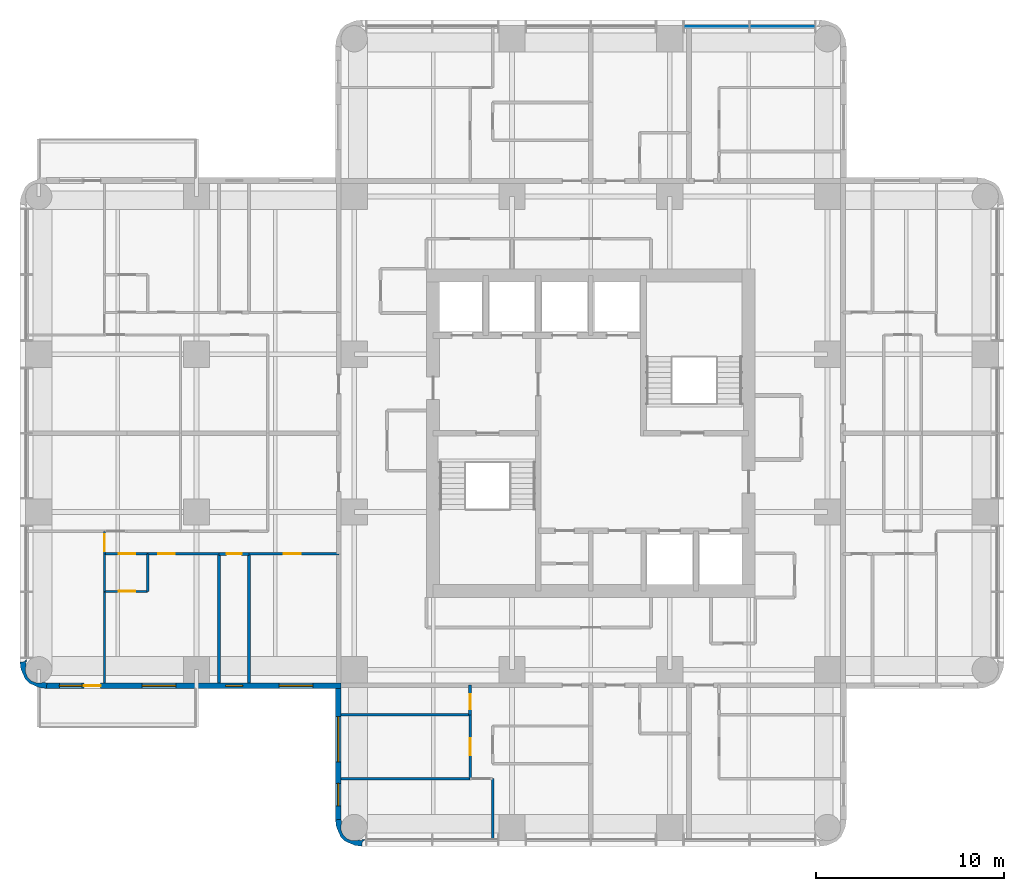
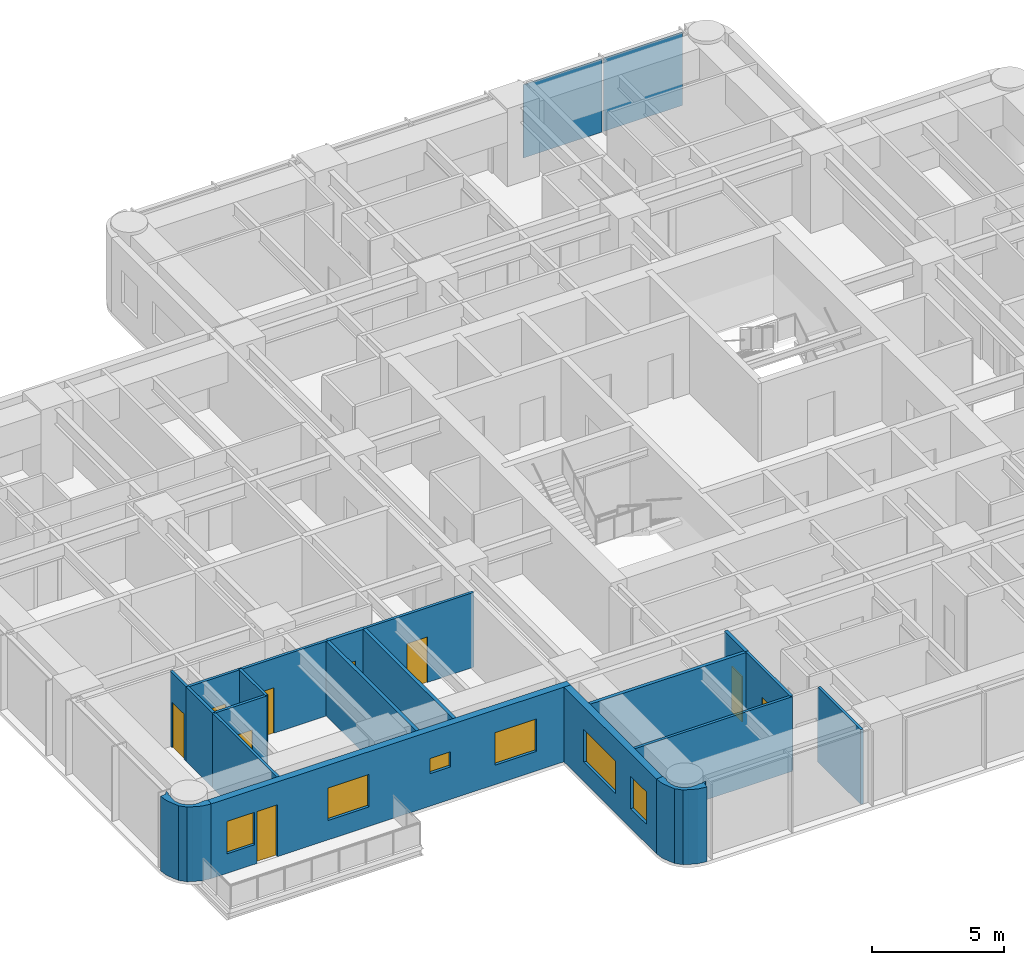
# One storey, part 4 of 11: 20 walls, 9 doors, 6 windows, 2 plates, 15 openings, 1 element without a shape of its own.
"""IFC4 building model written with IfcOpenShell, lengths in metres."""

from ifc_helpers import new_model, si_unit, direction, frame, frame_2d, origin, origin_2d, place, context, subcontext, project, spatial, polyline, rectangle, outline, extrude, material, layer, layer_set, type_object, element, fill, aggregate, save


model = new_model("IFC4")

# Units and contexts
model_context = context("Model", 3, precision=1e-05, world=origin(), true_north=direction((0.0, 1.0)))
body_context = subcontext(model_context, "Body", "Model", "MODEL_VIEW")
ifc_project = project(units=[si_unit("LENGTHUNIT", "METRE"), si_unit("AREAUNIT", "SQUARE_METRE"), si_unit("VOLUMEUNIT", "CUBIC_METRE"), si_unit("PLANEANGLEUNIT", "RADIAN"), si_unit("MASSUNIT", "GRAM", prefix="KILO")], contexts=[model_context])

# Site, building, storey
site_placement = place(None, origin())
site = spatial("IfcSite", under=ifc_project, at=site_placement, CompositionType="ELEMENT")
building_placement = place(site_placement, origin())
building = spatial("IfcBuilding", under=site, at=building_placement, Name="Torre Alcanfor", CompositionType="ELEMENT")
storey_placement = place(building_placement, frame((0.0, 0.0, 204.89990234375)))
storey = spatial("IfcBuildingStorey", under=building, at=storey_placement, Name="L53", CompositionType="ELEMENT", Elevation=204.89990234375)

# Curtain wall, plates
ifc_material_1 = material(Name="Aluminium and glass", Category="aluminium")
curtain_wall_type = type_object("IfcCurtainWallType", Name="CW-A unitised apartment glazing with vertical FIN", PredefinedType="NOTDEFINED", material=ifc_material_1)
curtain_wall_placement = place(storey_placement, origin())
curtain_wall = element("IfcCurtainWall", 1, at=curtain_wall_placement, inside=storey, type_object=curtain_wall_type, Name="Curtain wall CW-A L53 11", PredefinedType="NOTDEFINED")
ifc_material_2 = material(Name="Glass", Category="glass")
ifc_layer_1 = layer(ifc_material_2, 0.028076171875)
ifc_layer_set_1 = layer_set([ifc_layer_1], Name="CW-A clear double glazed unit")
plate_type = type_object("IfcPlateType", Name="CW-A clear double glazed unit", PredefinedType="CURTAIN_PANEL", material=ifc_layer_set_1)
plate_1_placement = place(storey_placement, frame((39.60107421875, 51.050048828125, 0.0), z_axis=(0.0, 0.0, 1.0), x_axis=(-1.0, 0.0, 0.0)))
plate_1 = element("IfcPlate", 2, at=plate_1_placement, type_object=plate_type, Name="CW-A panel 1.1.1", PredefinedType="CURTAIN_PANEL", context=body_context, shape_type="SweptSolid", body=[
    extrude(rectangle(XDim=3.444091796875, YDim=0.028076171875, at=origin_2d()), origin(), (0.0, 0.0, 1.0), 3.385009765625),
])
plate_2_placement = place(storey_placement, frame((36.092041015625, 51.050048828125, 0.0), z_axis=(0.0, 0.0, 1.0), x_axis=(-1.0, 0.0, 0.0)))
plate_2 = element("IfcPlate", 3, at=plate_2_placement, type_object=plate_type, Name="CW-A panel 1.2.1", PredefinedType="CURTAIN_PANEL", context=body_context, shape_type="SweptSolid", body=[
    extrude(rectangle(XDim=3.444091796875, YDim=0.028076171875, at=origin_2d()), origin(), (0.0, 0.0, 1.0), 3.385009765625),
])
aggregate(curtain_wall, [plate_1, plate_2])

# Wall, opening, door
ifc_material_3 = material(Name="Gypsum board on steel studs", Category="steel")
ifc_layer_2 = layer(ifc_material_3, 0.1201171875)
ifc_layer_set_2 = layer_set([ifc_layer_2], Name="Apartment partition 120")
wall_type_1 = type_object("IfcWallType", Name="Apartment partition 120", PredefinedType="PARTITIONING", material=ifc_layer_set_2)
wall_1_placement = place(storey_placement, frame((22.970947265625, 11.0, 0.0), z_axis=(0.0, 0.0, 1.0), x_axis=(0.0, 1.0, 0.0)))
wall_1 = element("IfcWall", 4, at=wall_1_placement, inside=storey, type_object=wall_type_1, Name="Partition L53-S2-LIVING / L53-S2-STUDY", PredefinedType="PARTITIONING", context=body_context, shape_type="SweptSolid", body=[
    extrude(rectangle(XDim=3.39990234375, YDim=0.1201171875, at=frame_2d((1.699951171875, 0.0))), origin(), (0.0, 0.0, 1.0), 3.4501953125),
])
opening_1_placement = place(wall_1_placement, frame((1.25, 0.0, 0.0)))
opening_1 = element("IfcOpeningElement", 5, at=opening_1_placement, cuts=wall_1, Name="Opening D-R1", PredefinedType="OPENING", context=body_context, shape_type="SweptSolid", body=[
    extrude(rectangle(XDim=0.89990234375, YDim=2.10009765625, at=frame_2d((0.449951171875, 1.050048828125))), frame((0.0, 0.070068359375, 0.0), z_axis=(0.0, -1.0, 0.0), x_axis=(1.0, 0.0, 0.0)), (0.0, 0.0, 1.0), 0.14013671875),
])
ifc_material_4 = material(Name="Timber", Category="wood")
door_type_1 = type_object("IfcDoorType", Name="Internal door 900x2100", OperationType="SINGLE_SWING_LEFT", PredefinedType="DOOR", material=ifc_material_4)
door_1_placement = place(opening_1_placement, origin())
door_1 = element("IfcDoor", 6, at=door_1_placement, inside=storey, type_object=door_type_1, Name="Door L53-S2 study", OperationType="SINGLE_SWING_LEFT", OverallHeight=2.10009765625, OverallWidth=0.89990234375, PredefinedType="DOOR", context=body_context, shape_type="SweptSolid", body=[
    extrude(rectangle(XDim=0.89990234375, YDim=2.10009765625, at=frame_2d((0.449951171875, 1.050048828125))), frame((0.0, 0.02490234375, 0.0), z_axis=(0.0, -1.0, 0.0), x_axis=(1.0, 0.0, 0.0)), (0.0, 0.0, 1.0), 0.050048828125),
])
fill(opening_1, door_1)

# Walls
wall_2_placement = place(storey_placement, frame((24.1708984375, 7.75, 0.0), z_axis=(0.0, 0.0, 1.0), x_axis=(0.0, 1.0, 0.0)))
element("IfcWall", 7, at=wall_2_placement, inside=storey, type_object=wall_type_1, Name="Partition L53-S2-LIVING / L53-S2-MASTER", PredefinedType="PARTITIONING", context=body_context, shape_type="SweptSolid", body=[
    extrude(rectangle(XDim=3.25, YDim=0.1201171875, at=frame_2d((1.625, 0.0))), origin(), (0.0, 0.0, 1.0), 3.4501953125),
])
wall_3_placement = place(storey_placement, frame((22.970947265625, 11.0, 0.0), z_axis=(0.0, 0.0, 1.0), x_axis=(-1.0, 0.0, 0.0)))
element("IfcWall", 8, at=wall_3_placement, inside=storey, type_object=wall_type_1, Name="Partition L53-S2-STUDY / L53-S2-MASTER", PredefinedType="PARTITIONING", context=body_context, shape_type="SweptSolid", body=[
    extrude(rectangle(XDim=6.870849609375, YDim=0.1201171875, at=frame_2d((3.435546875, 0.0))), origin(), (0.0, 0.0, 1.0), 3.4501953125),
])

# Wall, opening, door
wall_4_placement = place(storey_placement, frame((11.199951171875, 22.970947265625, 0.0), z_axis=(0.0, 0.0, 1.0), x_axis=(1.0, 0.0, 0.0)))
wall_4 = element("IfcWall", 9, at=wall_4_placement, inside=storey, type_object=wall_type_1, Name="Partition L53-W1-HALL / L53-W1-BED2", PredefinedType="PARTITIONING", context=body_context, shape_type="SweptSolid", body=[
    extrude(rectangle(XDim=4.775146484375, YDim=0.1201171875, at=frame_2d((2.3876953125, 0.0))), origin(), (0.0, 0.0, 1.0), 3.4501953125),
])
opening_2_placement = place(wall_4_placement, frame((1.85009765625, 0.0, 0.0)))
opening_2 = element("IfcOpeningElement", 10, at=opening_2_placement, cuts=wall_4, Name="Opening D-R1", PredefinedType="OPENING", context=body_context, shape_type="SweptSolid", body=[
    extrude(rectangle(XDim=0.89990234375, YDim=2.10009765625, at=frame_2d((0.449951171875, 1.050048828125))), frame((0.0, 0.070068359375, 0.0), z_axis=(0.0, -1.0, 0.0), x_axis=(1.0, 0.0, 0.0)), (0.0, 0.0, 1.0), 0.14013671875),
])
door_2_placement = place(opening_2_placement, frame((0.89990234375, 0.0, 0.0), z_axis=(0.0, 0.0, 1.0), x_axis=(-1.0, 0.0, 0.0)))
door_2 = element("IfcDoor", 11, at=door_2_placement, inside=storey, type_object=door_type_1, Name="Door L53-W1 bed2", OperationType="SINGLE_SWING_RIGHT", OverallHeight=2.10009765625, OverallWidth=0.89990234375, PredefinedType="DOOR", context=body_context, shape_type="SweptSolid", body=[
    extrude(rectangle(XDim=0.89990234375, YDim=2.10009765625, at=frame_2d((0.449951171875, 1.050048828125))), frame((0.0, 0.025146484375, 0.0), z_axis=(0.0, -1.0, 0.0), x_axis=(1.0, 0.0, 0.0)), (0.0, 0.0, 1.0), 0.050048828125),
])
fill(opening_2, door_2)

wall_5_placement = place(storey_placement, frame((5.800048828125, 22.970947265625, 0.0), z_axis=(0.0, 0.0, 1.0), x_axis=(1.0, 0.0, 0.0)))
wall_5 = element("IfcWall", 12, at=wall_5_placement, inside=storey, type_object=wall_type_1, Name="Partition L53-W1-HALL / L53-W1-MASTER", PredefinedType="PARTITIONING", context=body_context, shape_type="SweptSolid", body=[
    extrude(rectangle(XDim=3.800048828125, YDim=0.1201171875, at=frame_2d((1.89990234375, 0.0))), origin(), (0.0, 0.0, 1.0), 3.4501953125),
])
opening_3_placement = place(wall_5_placement, frame((0.550048828125, 0.0, 0.0)))
opening_3 = element("IfcOpeningElement", 13, at=opening_3_placement, cuts=wall_5, Name="Opening D-R1", PredefinedType="OPENING", context=body_context, shape_type="SweptSolid", body=[
    extrude(rectangle(XDim=0.89990234375, YDim=2.10009765625, at=frame_2d((0.449951171875, 1.050048828125))), frame((0.0, 0.070068359375, 0.0), z_axis=(0.0, -1.0, 0.0), x_axis=(1.0, 0.0, 0.0)), (0.0, 0.0, 1.0), 0.14013671875),
])
door_3_placement = place(opening_3_placement, frame((0.89990234375, 0.0, 0.0), z_axis=(0.0, 0.0, 1.0), x_axis=(-1.0, 0.0, 0.0)))
door_3 = element("IfcDoor", 14, at=door_3_placement, inside=storey, type_object=door_type_1, Name="Door L53-W1 master", OperationType="SINGLE_SWING_RIGHT", OverallHeight=2.10009765625, OverallWidth=0.89990234375, PredefinedType="DOOR", context=body_context, shape_type="SweptSolid", body=[
    extrude(rectangle(XDim=0.89990234375, YDim=2.10009765625, at=frame_2d((0.449951171875, 1.050048828125))), frame((0.0, 0.025146484375, 0.0), z_axis=(0.0, -1.0, 0.0), x_axis=(1.0, 0.0, 0.0)), (0.0, 0.0, 1.0), 0.050048828125),
])
fill(opening_3, door_3)

wall_6_placement = place(storey_placement, frame((3.5, 22.970947265625, 0.0), z_axis=(0.0, 0.0, 1.0), x_axis=(1.0, 0.0, 0.0)))
wall_6 = element("IfcWall", 15, at=wall_6_placement, inside=storey, type_object=wall_type_1, Name="Partition L53-W1-HALL / L53-W1-VEST", PredefinedType="PARTITIONING", context=body_context, shape_type="SweptSolid", body=[
    extrude(rectangle(XDim=2.300048828125, YDim=0.1201171875, at=frame_2d((1.14990234375, 0.0))), origin(), (0.0, 0.0, 1.0), 3.4501953125),
])
opening_4_placement = place(wall_6_placement, frame((0.75, 0.0, 0.0)))
opening_4 = element("IfcOpeningElement", 16, at=opening_4_placement, cuts=wall_6, Name="Opening D-R1", PredefinedType="OPENING", context=body_context, shape_type="SweptSolid", body=[
    extrude(rectangle(XDim=0.89990234375, YDim=2.10009765625, at=frame_2d((0.449951171875, 1.050048828125))), frame((0.0, 0.070068359375, 0.0), z_axis=(0.0, -1.0, 0.0), x_axis=(1.0, 0.0, 0.0)), (0.0, 0.0, 1.0), 0.14013671875),
])
door_4_placement = place(opening_4_placement, frame((0.89990234375, 0.0, 0.0), z_axis=(0.0, 0.0, 1.0), x_axis=(-1.0, 0.0, 0.0)))
door_4 = element("IfcDoor", 17, at=door_4_placement, inside=storey, type_object=door_type_1, Name="Door L53-W1 vest", OperationType="SINGLE_SWING_LEFT", OverallHeight=2.10009765625, OverallWidth=0.89990234375, PredefinedType="DOOR", context=body_context, shape_type="SweptSolid", body=[
    extrude(rectangle(XDim=0.89990234375, YDim=2.10009765625, at=frame_2d((0.449951171875, 1.050048828125))), frame((0.0, 0.025146484375, 0.0), z_axis=(0.0, -1.0, 0.0), x_axis=(1.0, 0.0, 0.0)), (0.0, 0.0, 1.0), 0.050048828125),
])
fill(opening_4, door_4)

wall_7_placement = place(storey_placement, frame((3.5, 24.1708984375, 0.0), z_axis=(0.0, 0.0, 1.0), x_axis=(0.0, -1.0, 0.0)))
wall_7 = element("IfcWall", 18, at=wall_7_placement, inside=storey, type_object=wall_type_1, Name="Partition L53-W1-HALL / L53-W1-WGARD", PredefinedType="PARTITIONING", context=body_context, shape_type="SweptSolid", body=[
    extrude(rectangle(XDim=1.199951171875, YDim=0.1201171875, at=frame_2d((0.60009765625, 0.0))), origin(), (0.0, 0.0, 1.0), 3.4501953125),
])
opening_5_placement = place(wall_7_placement, frame((0.15087890625, 0.0, 0.0)))
opening_5 = element("IfcOpeningElement", 19, at=opening_5_placement, cuts=wall_7, Name="Opening D-R1", PredefinedType="OPENING", context=body_context, shape_type="SweptSolid", body=[
    extrude(rectangle(XDim=0.89990234375, YDim=2.10009765625, at=frame_2d((0.449951171875, 1.050048828125))), frame((0.0, 0.070068359375, 0.0), z_axis=(0.0, -1.0, 0.0), x_axis=(1.0, 0.0, 0.0)), (0.0, 0.0, 1.0), 0.14013671875),
])
door_5_placement = place(opening_5_placement, frame((0.89990234375, 0.0, 0.0), z_axis=(0.0, 0.0, 1.0), x_axis=(-1.0, 0.0, 0.0)))
door_5 = element("IfcDoor", 20, at=door_5_placement, inside=storey, type_object=door_type_1, Name="Door L53-W1 wgard", OperationType="SINGLE_SWING_RIGHT", OverallHeight=2.10009765625, OverallWidth=0.89990234375, PredefinedType="DOOR", context=body_context, shape_type="SweptSolid", body=[
    extrude(rectangle(XDim=0.89990234375, YDim=2.10009765625, at=frame_2d((0.449951171875, 1.050048828125))), frame((0.0, 0.025146484375, 0.0), z_axis=(0.0, -1.0, 0.0), x_axis=(1.0, 0.0, 0.0)), (0.0, 0.0, 1.0), 0.050048828125),
])
fill(opening_5, door_5)

wall_8_placement = place(storey_placement, frame((3.5, 20.970947265625, 0.0), z_axis=(0.0, 0.0, 1.0), x_axis=(1.0, 0.0, 0.0)))
wall_8 = element("IfcWall", 21, at=wall_8_placement, inside=storey, type_object=wall_type_1, Name="Partition L53-W1-MASTER / L53-W1-VEST", PredefinedType="PARTITIONING", context=body_context, shape_type="SweptSolid", body=[
    extrude(rectangle(XDim=2.300048828125, YDim=0.1201171875, at=frame_2d((1.14990234375, 0.0))), origin(), (0.0, 0.0, 1.0), 3.4501953125),
])
opening_6_placement = place(wall_8_placement, frame((0.75, 0.0, 0.0)))
opening_6 = element("IfcOpeningElement", 22, at=opening_6_placement, cuts=wall_8, Name="Opening D-R1", PredefinedType="OPENING", context=body_context, shape_type="SweptSolid", body=[
    extrude(rectangle(XDim=0.89990234375, YDim=2.10009765625, at=frame_2d((0.449951171875, 1.050048828125))), frame((0.0, 0.070068359375, 0.0), z_axis=(0.0, -1.0, 0.0), x_axis=(1.0, 0.0, 0.0)), (0.0, 0.0, 1.0), 0.14013671875),
])
door_6_placement = place(opening_6_placement, origin())
door_6 = element("IfcDoor", 23, at=door_6_placement, inside=storey, type_object=door_type_1, Name="Door L53-W1 master", OperationType="SINGLE_SWING_RIGHT", OverallHeight=2.10009765625, OverallWidth=0.89990234375, PredefinedType="DOOR", context=body_context, shape_type="SweptSolid", body=[
    extrude(rectangle(XDim=0.89990234375, YDim=2.10009765625, at=frame_2d((0.449951171875, 1.050048828125))), frame((0.0, 0.02490234375, 0.0), z_axis=(0.0, -1.0, 0.0), x_axis=(1.0, 0.0, 0.0)), (0.0, 0.0, 1.0), 0.050048828125),
])
fill(opening_6, door_6)

# Walls
wall_9_placement = place(storey_placement, frame((5.800048828125, 20.970947265625, 0.0), z_axis=(0.0, 0.0, 1.0), x_axis=(0.0, 1.0, 0.0)))
element("IfcWall", 24, at=wall_9_placement, inside=storey, type_object=wall_type_1, Name="Partition L53-W1-MASTER / L53-W1-VEST", PredefinedType="PARTITIONING", context=body_context, shape_type="SweptSolid", body=[
    extrude(rectangle(XDim=2.0, YDim=0.1201171875, at=frame_2d((1.0, 0.0))), origin(), (0.0, 0.0, 1.0), 3.4501953125),
])
wall_10_placement = place(storey_placement, frame((3.5, 16.10009765625, 0.0), z_axis=(0.0, 0.0, 1.0), x_axis=(0.0, 1.0, 0.0)))
element("IfcWall", 25, at=wall_10_placement, inside=storey, type_object=wall_type_1, Name="Partition L53-W1-MASTER / L53-W1-WGARD", PredefinedType="PARTITIONING", context=body_context, shape_type="SweptSolid", body=[
    extrude(rectangle(XDim=4.870849609375, YDim=0.1201171875, at=frame_2d((2.435546875, 0.0))), origin(), (0.0, 0.0, 1.0), 3.4501953125),
])
wall_11_placement = place(storey_placement, frame((3.5, 22.970947265625, 0.0), z_axis=(0.0, 0.0, 1.0), x_axis=(0.0, -1.0, 0.0)))
element("IfcWall", 26, at=wall_11_placement, inside=storey, type_object=wall_type_1, Name="Partition L53-W1-VEST / L53-W1-WGARD", PredefinedType="PARTITIONING", context=body_context, shape_type="SweptSolid", body=[
    extrude(rectangle(XDim=2.0, YDim=0.1201171875, at=frame_2d((1.0, 0.0))), origin(), (0.0, 0.0, 1.0), 3.4501953125),
])

# Wall, openings, door, windows
ifc_material_5 = material(Name="Limestone cladding", Category="masonry")
ifc_layer_3 = layer(ifc_material_5, 0.0400390625, Name="Facing")
ifc_material_6 = material(Name="Ventilated air cavity")
ifc_layer_4 = layer(ifc_material_6, 0.02001953125, ventilated=True, Name="Ventilated joint")
ifc_material_7 = material(Name="Mineral wool insulation", Category="insulation")
ifc_layer_5 = layer(ifc_material_7, 0.10009765625, Name="Insulation")
ifc_material_8 = material(Name="Concrete f'c 35 MPa", Category="concrete")
ifc_layer_6 = layer(ifc_material_8, 0.139892578125, Name="Backing")
ifc_layer_set_3 = layer_set([ifc_layer_3, ifc_layer_4, ifc_layer_5, ifc_layer_6], Name="External wall stone-clad 300")
wall_type_2 = type_object("IfcWallType", Name="External wall stone-clad 300", PredefinedType="SOLIDWALL", material=ifc_layer_set_3)
wall_12_placement = place(storey_placement, frame((0.39990234375, 15.949951171875, 0.0), z_axis=(0.0, 0.0, 1.0), x_axis=(1.0, 0.0, 0.0)))
wall_12 = element("IfcWall", 27, at=wall_12_placement, inside=storey, type_object=wall_type_2, Name="External wall L53 3", PredefinedType="SOLIDWALL", context=body_context, shape_type="SweptSolid", body=[
    extrude(rectangle(XDim=15.7001953125, YDim=0.300048828125, at=frame_2d((7.85009765625, 0.0))), origin(), (0.0, 0.0, 1.0), 3.4501953125),
])
opening_7_placement = place(wall_12_placement, frame((12.39990234375, 0.0, 0.89990234375)))
opening_7 = element("IfcOpeningElement", 28, at=opening_7_placement, cuts=wall_12, Name="Opening W2", PredefinedType="OPENING", context=body_context, shape_type="SweptSolid", body=[
    extrude(rectangle(XDim=1.800048828125, YDim=1.5, at=frame_2d((0.89990234375, 0.75))), frame((0.0, 0.159912109375, 0.0), z_axis=(0.0, -1.0, 0.0), x_axis=(1.0, 0.0, 0.0)), (0.0, 0.0, 1.0), 0.320068359375),
])
opening_8_placement = place(wall_12_placement, frame((9.550048828125, 0.0, 1.5)))
opening_8 = element("IfcOpeningElement", 29, at=opening_8_placement, cuts=wall_12, Name="Opening W3", PredefinedType="OPENING", context=body_context, shape_type="SweptSolid", body=[
    extrude(rectangle(XDim=0.89990234375, YDim=0.699951171875, at=frame_2d((0.449951171875, 0.35009765625))), frame((0.0, 0.159912109375, 0.0), z_axis=(0.0, -1.0, 0.0), x_axis=(1.0, 0.0, 0.0)), (0.0, 0.0, 1.0), 0.320068359375),
])
opening_9_placement = place(wall_12_placement, frame((5.10009765625, 0.0, 0.89990234375)))
opening_9 = element("IfcOpeningElement", 30, at=opening_9_placement, cuts=wall_12, Name="Opening W2", PredefinedType="OPENING", context=body_context, shape_type="SweptSolid", body=[
    extrude(rectangle(XDim=1.800048828125, YDim=1.5, at=frame_2d((0.89990234375, 0.75))), frame((0.0, 0.159912109375, 0.0), z_axis=(0.0, -1.0, 0.0), x_axis=(1.0, 0.0, 0.0)), (0.0, 0.0, 1.0), 0.320068359375),
])
opening_10_placement = place(wall_12_placement, frame((2.0, 0.0, 0.0)))
opening_10 = element("IfcOpeningElement", 31, at=opening_10_placement, cuts=wall_12, Name="Opening D-B1", PredefinedType="OPENING", context=body_context, shape_type="SweptSolid", body=[
    extrude(rectangle(XDim=0.89990234375, YDim=2.39990234375, at=frame_2d((0.449951171875, 1.199951171875))), frame((0.0, 0.159912109375, 0.0), z_axis=(0.0, -1.0, 0.0), x_axis=(1.0, 0.0, 0.0)), (0.0, 0.0, 1.0), 0.320068359375),
])
opening_11_placement = place(wall_12_placement, frame((0.699951171875, 0.0, 0.89990234375)))
opening_11 = element("IfcOpeningElement", 32, at=opening_11_placement, cuts=wall_12, Name="Opening W4", PredefinedType="OPENING", context=body_context, shape_type="SweptSolid", body=[
    extrude(rectangle(XDim=1.199951171875, YDim=1.5, at=frame_2d((0.60009765625, 0.75))), frame((0.0, 0.159912109375, 0.0), z_axis=(0.0, -1.0, 0.0), x_axis=(1.0, 0.0, 0.0)), (0.0, 0.0, 1.0), 0.320068359375),
])
ifc_material_9 = material(Name="Aluminium and glass", Category="aluminium")
door_type_2 = type_object("IfcDoorType", Name="Balcony door glazed 900x2400", OperationType="SINGLE_SWING_LEFT", PredefinedType="DOOR", material=ifc_material_9)
door_7_placement = place(opening_10_placement, origin())
door_7 = element("IfcDoor", 33, at=door_7_placement, inside=storey, type_object=door_type_2, Name="Balcony door L53-W1", OperationType="SINGLE_SWING_RIGHT", OverallHeight=2.39990234375, OverallWidth=0.89990234375, PredefinedType="DOOR", context=body_context, shape_type="SweptSolid", body=[
    extrude(rectangle(XDim=0.89990234375, YDim=2.39990234375, at=frame_2d((0.449951171875, 1.199951171875))), frame((0.0, 0.02490234375, 0.0), z_axis=(0.0, -1.0, 0.0), x_axis=(1.0, 0.0, 0.0)), (0.0, 0.0, 1.0), 0.050048828125),
])
fill(opening_10, door_7)
ifc_material_10 = material(Name="Aluminium frame with clear double glazing", Category="aluminium")
window_type_1 = type_object("IfcWindowType", Name="Window bathroom 900x700", PartitioningType="SINGLE_PANEL", PredefinedType="WINDOW", material=ifc_material_10)
window_1_placement = place(opening_8_placement, origin())
window_1 = element("IfcWindow", 34, at=window_1_placement, inside=storey, type_object=window_type_1, Name="Window W3 L53-W1", OverallHeight=0.699951171875, OverallWidth=0.89990234375, PartitioningType="SINGLE_PANEL", PredefinedType="WINDOW", context=body_context, shape_type="SweptSolid", body=[
    extrude(rectangle(XDim=0.89990234375, YDim=0.699951171875, at=frame_2d((0.449951171875, 0.35009765625))), frame((0.0, 0.030029296875, 0.0), z_axis=(0.0, -1.0, 0.0), x_axis=(1.0, 0.0, 0.0)), (0.0, 0.0, 1.0), 0.06005859375),
])
fill(opening_8, window_1)
ifc_material_11 = material(Name="Aluminium frame with clear double glazing", Category="aluminium")
window_type_2 = type_object("IfcWindowType", Name="Window bedroom 1200x1500", PartitioningType="SINGLE_PANEL", PredefinedType="WINDOW", material=ifc_material_11)
window_2_placement = place(opening_11_placement, origin())
window_2 = element("IfcWindow", 35, at=window_2_placement, inside=storey, type_object=window_type_2, Name="Window W4 L53-W1", OverallHeight=1.5, OverallWidth=1.199951171875, PartitioningType="SINGLE_PANEL", PredefinedType="WINDOW", context=body_context, shape_type="SweptSolid", body=[
    extrude(rectangle(XDim=1.199951171875, YDim=1.5, at=frame_2d((0.60009765625, 0.75))), frame((0.0, 0.030029296875, 0.0), z_axis=(0.0, -1.0, 0.0), x_axis=(1.0, 0.0, 0.0)), (0.0, 0.0, 1.0), 0.06005859375),
])
fill(opening_11, window_2)
ifc_material_12 = material(Name="Aluminium frame with clear double glazing", Category="aluminium")
window_type_3 = type_object("IfcWindowType", Name="Window bedroom 1800x1500", PartitioningType="SINGLE_PANEL", PredefinedType="WINDOW", material=ifc_material_12)
window_3_placement = place(opening_7_placement, origin())
window_3 = element("IfcWindow", 36, at=window_3_placement, inside=storey, type_object=window_type_3, Name="Window W2 L53-W1", OverallHeight=1.5, OverallWidth=1.800048828125, PartitioningType="SINGLE_PANEL", PredefinedType="WINDOW", context=body_context, shape_type="SweptSolid", body=[
    extrude(rectangle(XDim=1.800048828125, YDim=1.5, at=frame_2d((0.89990234375, 0.75))), frame((0.0, 0.030029296875, 0.0), z_axis=(0.0, -1.0, 0.0), x_axis=(1.0, 0.0, 0.0)), (0.0, 0.0, 1.0), 0.06005859375),
])
fill(opening_7, window_3)
window_4_placement = place(opening_9_placement, origin())
window_4 = element("IfcWindow", 37, at=window_4_placement, inside=storey, type_object=window_type_3, Name="Window W2 L53-W1", OverallHeight=1.5, OverallWidth=1.800048828125, PartitioningType="SINGLE_PANEL", PredefinedType="WINDOW", context=body_context, shape_type="SweptSolid", body=[
    extrude(rectangle(XDim=1.800048828125, YDim=1.5, at=frame_2d((0.89990234375, 0.75))), frame((0.0, 0.030029296875, 0.0), z_axis=(0.0, -1.0, 0.0), x_axis=(1.0, 0.0, 0.0)), (0.0, 0.0, 1.0), 0.06005859375),
])
fill(opening_9, window_4)

# Wall, openings, windows
wall_13_placement = place(storey_placement, frame((15.949951171875, 15.800048828125, 0.0), z_axis=(0.0, 0.0, 1.0), x_axis=(0.0, -1.0, 0.0)))
wall_13 = element("IfcWall", 38, at=wall_13_placement, inside=storey, type_object=wall_type_2, Name="External wall L53 4", PredefinedType="SOLIDWALL", context=body_context, shape_type="SweptSolid", body=[
    extrude(rectangle(XDim=7.0, YDim=0.300048828125, at=frame_2d((3.5, 0.0))), origin(), (0.0, 0.0, 1.0), 3.4501953125),
])
opening_12_placement = place(wall_13_placement, frame((1.5, 0.0, 0.89990234375)))
opening_12 = element("IfcOpeningElement", 39, at=opening_12_placement, cuts=wall_13, Name="Opening W1", PredefinedType="OPENING", context=body_context, shape_type="SweptSolid", body=[
    extrude(rectangle(XDim=2.39990234375, YDim=1.5, at=frame_2d((1.199951171875, 0.75))), frame((0.0, 0.159912109375, 0.0), z_axis=(0.0, -1.0, 0.0), x_axis=(1.0, 0.0, 0.0)), (0.0, 0.0, 1.0), 0.320068359375),
])
opening_13_placement = place(wall_13_placement, frame((5.050048828125, 0.0, 0.89990234375)))
opening_13 = element("IfcOpeningElement", 40, at=opening_13_placement, cuts=wall_13, Name="Opening W4", PredefinedType="OPENING", context=body_context, shape_type="SweptSolid", body=[
    extrude(rectangle(XDim=1.199951171875, YDim=1.5, at=frame_2d((0.60009765625, 0.75))), frame((0.0, 0.159912109375, 0.0), z_axis=(0.0, -1.0, 0.0), x_axis=(1.0, 0.0, 0.0)), (0.0, 0.0, 1.0), 0.320068359375),
])
window_5_placement = place(opening_13_placement, origin())
window_5 = element("IfcWindow", 41, at=window_5_placement, inside=storey, type_object=window_type_2, Name="Window W4 L53-S2", OverallHeight=1.5, OverallWidth=1.199951171875, PartitioningType="SINGLE_PANEL", PredefinedType="WINDOW", context=body_context, shape_type="SweptSolid", body=[
    extrude(rectangle(XDim=1.199951171875, YDim=1.5, at=frame_2d((0.60009765625, 0.75))), frame((0.0, 0.030029296875, 0.0), z_axis=(0.0, -1.0, 0.0), x_axis=(1.0, 0.0, 0.0)), (0.0, 0.0, 1.0), 0.06005859375),
])
fill(opening_13, window_5)
ifc_material_13 = material(Name="Aluminium frame with clear double glazing", Category="aluminium")
window_type_4 = type_object("IfcWindowType", Name="Window bedroom 2400x1500", PartitioningType="SINGLE_PANEL", PredefinedType="WINDOW", material=ifc_material_13)
window_6_placement = place(opening_12_placement, origin())
window_6 = element("IfcWindow", 42, at=window_6_placement, inside=storey, type_object=window_type_4, Name="Window W1 L53-S2", OverallHeight=1.5, OverallWidth=2.39990234375, PartitioningType="SINGLE_PANEL", PredefinedType="WINDOW", context=body_context, shape_type="SweptSolid", body=[
    extrude(rectangle(XDim=2.39990234375, YDim=1.5, at=frame_2d((1.199951171875, 0.75))), frame((0.0, 0.030029296875, 0.0), z_axis=(0.0, -1.0, 0.0), x_axis=(1.0, 0.0, 0.0)), (0.0, 0.0, 1.0), 0.06005859375),
])
fill(opening_12, window_6)

# Walls
ifc_layer_7 = layer(ifc_material_5, 0.0400390625, Name="Facing")
ifc_layer_8 = layer(ifc_material_6, 0.02001953125, ventilated=True, Name="Ventilated joint")
ifc_layer_9 = layer(ifc_material_7, 0.10009765625, Name="Insulation")
ifc_layer_10 = layer(ifc_material_8, 0.139892578125, Name="Backing")
ifc_layer_set_4 = layer_set([ifc_layer_7, ifc_layer_8, ifc_layer_9, ifc_layer_10], Name="Rounded corner pier stone-clad 300")
wall_type_3 = type_object("IfcWallType", Name="Rounded corner pier stone-clad 300", PredefinedType="SOLIDWALL", material=ifc_layer_set_4)
wall_14_placement = place(storey_placement, frame((-0.58815184, 17.312325495, 0.0), z_axis=(0.0, 0.0, 1.0), x_axis=(-0.898030234854, -0.439933741929, 0.0)))
element("IfcWall", 43, at=wall_14_placement, inside=storey, type_object=wall_type_3, Name="Corner pier L53 14", PredefinedType="SOLIDWALL", context=body_context, shape_type="SweptSolid", body=[
    extrude(outline(polyline([(-0.22200099779214466, 1.7927485446039917), (-0.3895203988851006, 1.5406953482066268), (-0.3717615001977944, 1.5319954866108696), (-0.1946893371505769, 1.4145296087243977), (-0.1196378565013686, 1.4095707271395082), (0.13074069042336733, 1.2869134192092004), (0.31532782000916126, 1.0776826467218847), (0.4055826710323692, 0.8140749979758074), (0.38797260783771476, 0.5356152877148042), (0.26531529990740693, 0.28523674079006817), (0.2089410932617622, 0.23564484500123395), (0.1476439801012907, 0.052805298357783616), (0.1048910758540722, 0.07374940960682917), (0.03174779503048235, -0.07555688676422617), (0.13758283616273645, -0.03932073839803114), (0.18192415361672865, -0.0004176855725517292), (0.4192893563182328, -0.08027036234769044), (0.5359265089611867, 0.2660343125058281), (0.55884082549336, 0.63079452952945), (0.5546362328412097, 0.6510690852705474), (0.5662389797265355, 0.8356887018617073), (0.45562482097298596, 1.1592927954286232), (0.3331931039366845, 1.297838781078767), (0.32408874086174466, 1.3164357373584665), (0.08241545456328281, 1.5906055834666009), (-0.22200099779214466, 1.7927485446039917)])), origin(), (0.0, 0.0, 1.0), 3.4501953125),
])
wall_15_placement = place(storey_placement, frame((16.075788181, 8.689684728, 0.0), z_axis=(0.0, 0.0, 1.0), x_axis=(-0.439933741929, -0.898030234854, 0.0)))
element("IfcWall", 44, at=wall_15_placement, inside=storey, type_object=wall_type_3, Name="Corner pier L53 15", PredefinedType="SOLIDWALL", context=body_context, shape_type="SweptSolid", body=[
    extrude(outline(polyline([(0.6637063463257242, 1.5769511452868783), (0.42612189796141386, 1.4969910628130267), (0.381999826170228, 1.536001521337219), (0.2761647850379738, 1.5722376697034142), (0.3493080658615637, 1.4229313733323588), (0.391841724445976, 1.4437680788826912), (0.45335808326925375, 1.261035937937954), (0.5097322899148984, 1.2114440421491197), (0.6323895978452062, 0.9610654952243838), (0.6499996610398608, 0.6826057849633805), (0.5595255643538466, 0.4188907305185901), (0.37515768043085884, 0.20976736372998736), (0.1247791335061229, 0.08711005579967954), (0.04972765285691469, 0.0821511742147902), (-0.1273445101903028, -0.035314703671681595), (-0.14532265454041515, -0.04412197096615204), (0.02219674655254064, -0.2961751673635169), (0.3266131989079681, -0.09403220622612604), (0.56828648520643, 0.18013763988200826), (0.5776100939441761, 0.19884200186042086), (0.6998225653176713, 0.33728058181185155), (0.810655969734027, 0.6609920810774806), (0.7990532228487013, 0.8456116976686404), (0.8030385698380452, 0.8657788477110249), (0.7801242533058719, 1.2305390647346468), (0.6637063463257242, 1.5769511452868783)])), origin(), (0.0, 0.0, 1.0), 3.4501953125),
])

# Wall, opening, door
ifc_material_14 = material(Name="Cement board on steel studs", Category="steel")
ifc_layer_11 = layer(ifc_material_14, 0.14990234375)
ifc_layer_set_5 = layer_set([ifc_layer_11], Name="Wet area partition 150")
wall_type_4 = type_object("IfcWallType", Name="Wet area partition 150", PredefinedType="PARTITIONING", material=ifc_layer_set_5)
wall_16_placement = place(storey_placement, frame((22.970947265625, 14.39990234375, 0.0), z_axis=(0.0, 0.0, 1.0), x_axis=(0.0, 1.0, 0.0)))
wall_16 = element("IfcWall", 45, at=wall_16_placement, inside=storey, type_object=wall_type_4, Name="Partition L53-S2-LIVING / L53-S2-BATH", PredefinedType="PARTITIONING", context=body_context, shape_type="SweptSolid", body=[
    extrude(rectangle(XDim=1.5751953125, YDim=0.14990234375, at=frame_2d((0.78759765625, 0.0))), origin(), (0.0, 0.0, 1.0), 3.4501953125),
])
opening_14_placement = place(wall_16_placement, frame((0.300048828125, 0.0, 0.0)))
opening_14 = element("IfcOpeningElement", 46, at=opening_14_placement, cuts=wall_16, Name="Opening D-R2", PredefinedType="OPENING", context=body_context, shape_type="SweptSolid", body=[
    extrude(rectangle(XDim=0.800048828125, YDim=2.10009765625, at=frame_2d((0.39990234375, 1.050048828125))), frame((0.0, 0.0849609375, 0.0), z_axis=(0.0, -1.0, 0.0), x_axis=(1.0, 0.0, 0.0)), (0.0, 0.0, 1.0), 0.169921875),
])
ifc_material_15 = material(Name="Timber", Category="wood")
door_type_3 = type_object("IfcDoorType", Name="Bathroom door 800x2100", OperationType="SINGLE_SWING_LEFT", PredefinedType="DOOR", material=ifc_material_15)
door_8_placement = place(opening_14_placement, origin())
door_8 = element("IfcDoor", 47, at=door_8_placement, inside=storey, type_object=door_type_3, Name="Door L53-S2 bath", OperationType="SINGLE_SWING_LEFT", OverallHeight=2.10009765625, OverallWidth=0.800048828125, PredefinedType="DOOR", context=body_context, shape_type="SweptSolid", body=[
    extrude(rectangle(XDim=0.800048828125, YDim=2.10009765625, at=frame_2d((0.39990234375, 1.050048828125))), frame((0.0, 0.02490234375, 0.0), z_axis=(0.0, -1.0, 0.0), x_axis=(1.0, 0.0, 0.0)), (0.0, 0.0, 1.0), 0.050048828125),
])
fill(opening_14, door_8)

# Wall
wall_17_placement = place(storey_placement, frame((22.970947265625, 14.39990234375, 0.0), z_axis=(0.0, 0.0, 1.0), x_axis=(-1.0, 0.0, 0.0)))
element("IfcWall", 48, at=wall_17_placement, inside=storey, type_object=wall_type_4, Name="Partition L53-S2-BATH / L53-S2-STUDY", PredefinedType="PARTITIONING", context=body_context, shape_type="SweptSolid", body=[
    extrude(rectangle(XDim=6.870849609375, YDim=0.14990234375, at=frame_2d((3.435546875, 0.0))), origin(), (0.0, 0.0, 1.0), 3.4501953125),
])

# Wall, opening, door
wall_18_placement = place(storey_placement, frame((9.60009765625, 22.970947265625, 0.0), z_axis=(0.0, 0.0, 1.0), x_axis=(1.0, 0.0, 0.0)))
wall_18 = element("IfcWall", 49, at=wall_18_placement, inside=storey, type_object=wall_type_4, Name="Partition L53-W1-HALL / L53-W1-BATH1", PredefinedType="PARTITIONING", context=body_context, shape_type="SweptSolid", body=[
    extrude(rectangle(XDim=1.599853515625, YDim=0.14990234375, at=frame_2d((0.7998046875, 0.0))), origin(), (0.0, 0.0, 1.0), 3.4501953125),
])
opening_15_placement = place(wall_18_placement, frame((0.39990234375, 0.0, 0.0)))
opening_15 = element("IfcOpeningElement", 50, at=opening_15_placement, cuts=wall_18, Name="Opening D-R2", PredefinedType="OPENING", context=body_context, shape_type="SweptSolid", body=[
    extrude(rectangle(XDim=0.800048828125, YDim=2.10009765625, at=frame_2d((0.39990234375, 1.050048828125))), frame((0.0, 0.0849609375, 0.0), z_axis=(0.0, -1.0, 0.0), x_axis=(1.0, 0.0, 0.0)), (0.0, 0.0, 1.0), 0.169921875),
])
door_9_placement = place(opening_15_placement, frame((0.800048828125, 0.0, 0.0), z_axis=(0.0, 0.0, 1.0), x_axis=(-1.0, 0.0, 0.0)))
door_9 = element("IfcDoor", 51, at=door_9_placement, inside=storey, type_object=door_type_3, Name="Door L53-W1 bath1", OperationType="SINGLE_SWING_RIGHT", OverallHeight=2.10009765625, OverallWidth=0.800048828125, PredefinedType="DOOR", context=body_context, shape_type="SweptSolid", body=[
    extrude(rectangle(XDim=0.800048828125, YDim=2.10009765625, at=frame_2d((0.400146484375, 1.050048828125))), frame((0.0, 0.025146484375, 0.0), z_axis=(0.0, -1.0, 0.0), x_axis=(1.0, 0.0, 0.0)), (0.0, 0.0, 1.0), 0.050048828125),
])
fill(opening_15, door_9)

# Walls
for number, where, z_axis, x_axis, name in (
    (52, (11.199951171875, 22.970947265625, 0.0), (0.0, 0.0, 1.0), (0.0, -1.0, 0.0), "Partition L53-W1-BED2 / L53-W1-BATH1"),
    (53, (9.60009765625, 22.970947265625, 0.0), (0.0, 0.0, 1.0), (0.0, -1.0, 0.0), "Partition L53-W1-BATH1 / L53-W1-MASTER"),
):
    element("IfcWall", number, at=place(storey_placement, frame(where, z_axis=z_axis, x_axis=x_axis)), inside=storey, type_object=wall_type_4, Name=name, PredefinedType="PARTITIONING", context=body_context, shape_type="SweptSolid", body=[
        extrude(rectangle(XDim=6.870849609375, YDim=0.14990234375, at=frame_2d((3.435546875, 0.0))), origin(), (0.0, 0.0, 1.0), 3.4501953125),
    ])

save(model, "model.ifc")
